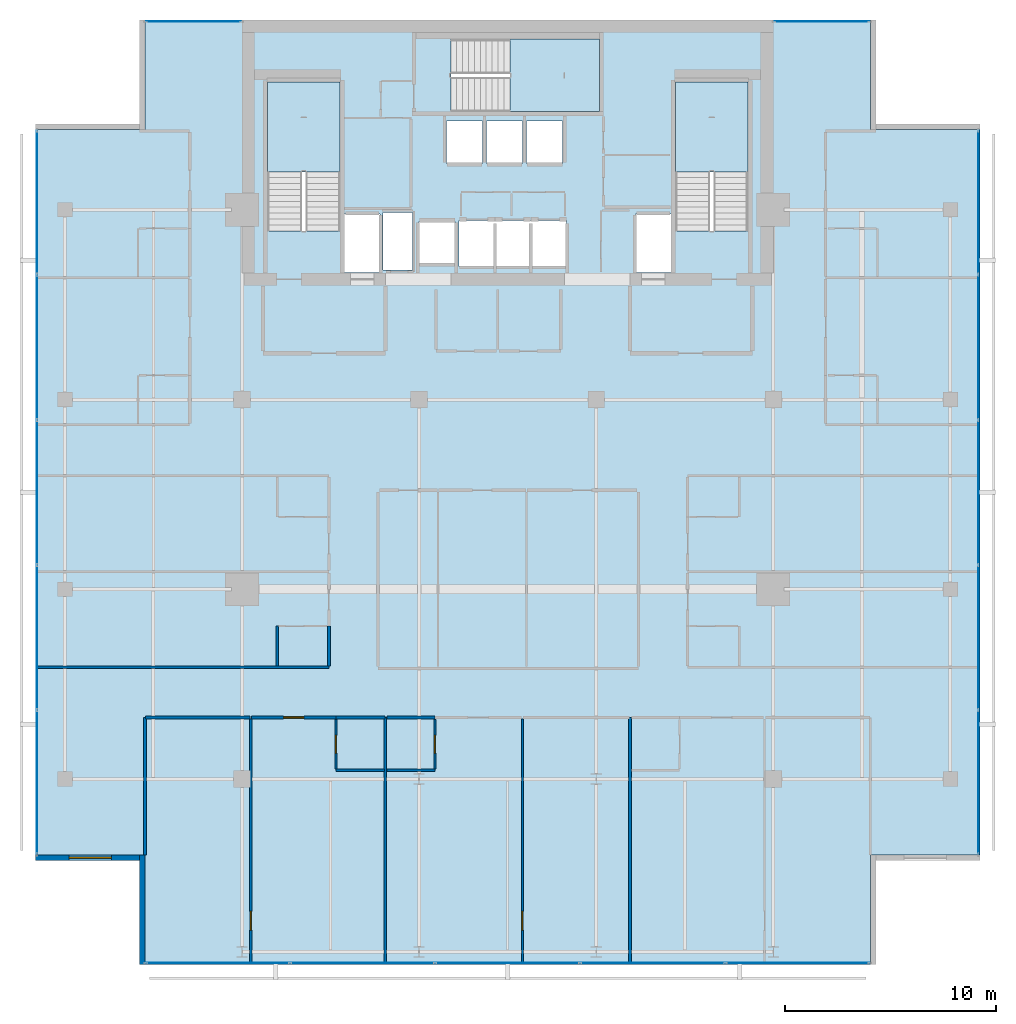
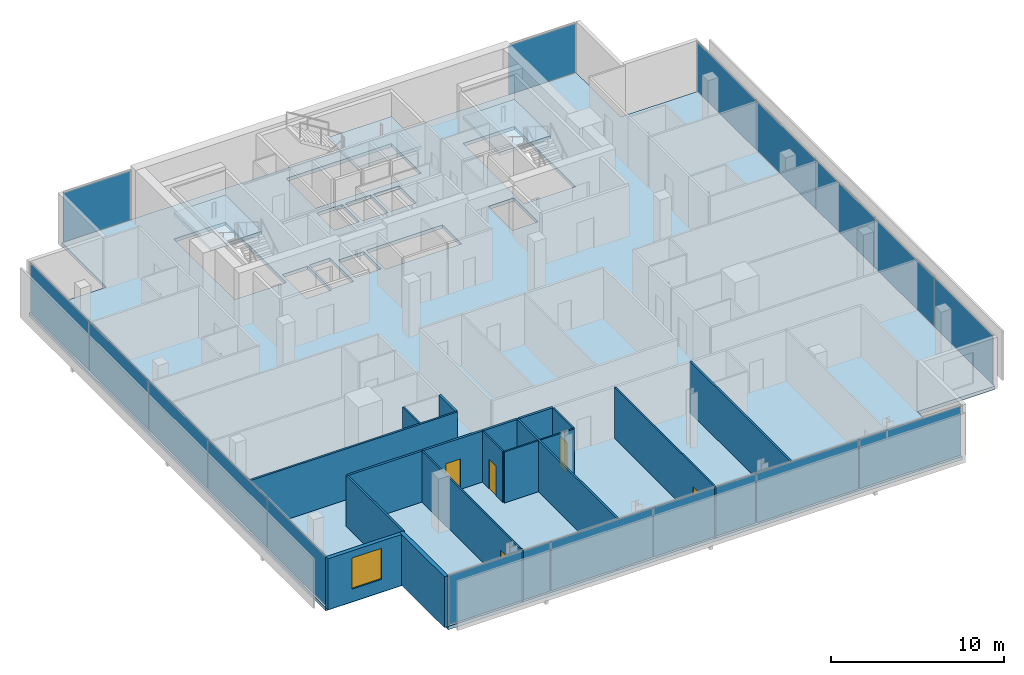
# One storey, part 19 of 26: 18 walls, 17 plates, 5 doors, 4 slabs, 1 window, 6 openings, 8 elements without a shape of their own.
"""IFC4 building model written with IfcOpenShell, lengths in metres."""

from ifc_helpers import new_model, si_unit, direction, frame, frame_2d, origin, origin_2d, place, context, subcontext, project, spatial, polyline, rectangle, outline, extrude, material, layer, layer_set, type_object, element, fill, aggregate, save


model = new_model("IFC4")

# Units and contexts
model_context = context("Model", 3, precision=1e-05, world=origin(), true_north=direction((0.0, 1.0)))
body_context = subcontext(model_context, "Body", "Model", "MODEL_VIEW")
ifc_project = project(units=[si_unit("LENGTHUNIT", "METRE"), si_unit("AREAUNIT", "SQUARE_METRE"), si_unit("VOLUMEUNIT", "CUBIC_METRE"), si_unit("PLANEANGLEUNIT", "RADIAN"), si_unit("MASSUNIT", "GRAM", prefix="KILO")], contexts=[model_context])

# Site, building, storey
site_placement = place(None, origin())
site = spatial("IfcSite", under=ifc_project, at=site_placement, CompositionType="ELEMENT")
building_placement = place(site_placement, origin())
building = spatial("IfcBuilding", under=site, at=building_placement, Name="Maruvema Waterfront Hotel and Observation Tower", CompositionType="ELEMENT")
storey_placement = place(building_placement, frame((0.0, 0.0, 301.0)))
storey = spatial("IfcBuildingStorey", under=building, at=storey_placement, Name="L74", CompositionType="ELEMENT", Elevation=301.0)

# Slab
ifc_material_1 = material(Name="Concrete C50/60", Category="concrete")
ifc_layer_1 = layer(ifc_material_1, 0.239990234375, Name="Reinforced Concrete Floor Slab 240 mm")
ifc_layer_set_1 = layer_set([ifc_layer_1], Name="Concrete C50/60")
slab_type_1 = type_object("IfcSlabType", Name="Reinforced Concrete Floor Slab 240 mm", PredefinedType="FLOOR", material=ifc_layer_set_1)
slab_1_placement = place(storey_placement, frame((0.0, 0.0, -0.239990234375)))
element("IfcSlab", 1, at=slab_1_placement, inside=storey, type_object=slab_type_1, Name="L74 Structural Floor Slab", PredefinedType="FLOOR", context=body_context, shape_type="SweptSolid", body=[
    extrude(outline(polyline([(20.60009765625, 9.199951171875), (55.0, 9.199951171875), (55.0, 14.39990234375), (60.199951171875, 14.39990234375), (60.199951171875, 48.800048828125), (55.0, 48.800048828125), (55.0, 54.0), (20.60009765625, 54.0), (20.60009765625, 48.800048828125), (15.39990234375, 48.800048828125), (15.39990234375, 14.39990234375), (20.60009765625, 14.39990234375), (20.60009765625, 9.199951171875)]), holes=[polyline([(26.39990234375, 44.00048828125), (26.39990234375, 51.050048828125), (29.85009765625, 51.050048828125), (29.85009765625, 44.00048828125), (26.39990234375, 44.00048828125)]), polyline([(30.050048828125, 44.800048828125), (31.75, 44.800048828125), (31.75, 42.02001953125), (30.050048828125, 42.02001953125), (30.050048828125, 44.800048828125)]), polyline([(31.8798828125, 42.139892578125), (31.8798828125, 44.860107421875), (33.280029296875, 44.860107421875), (33.280029296875, 42.139892578125), (31.8798828125, 42.139892578125)]), polyline([(33.60009765625, 44.449951171875), (35.300048828125, 44.449951171875), (35.300048828125, 42.449951171875), (33.60009765625, 42.449951171875), (33.60009765625, 44.449951171875)]), polyline([(34.89990234375, 49.199951171875), (36.60009765625, 49.199951171875), (36.60009765625, 47.199951171875), (34.89990234375, 47.199951171875), (34.89990234375, 49.199951171875)]), polyline([(36.800048828125, 47.199951171875), (36.800048828125, 49.199951171875), (38.5, 49.199951171875), (38.5, 47.199951171875), (36.800048828125, 47.199951171875)]), polyline([(35.5, 42.300048828125), (35.5, 44.5), (40.60009765625, 44.5), (40.60009765625, 42.300048828125), (35.5, 42.300048828125)]), polyline([(35.1005859375, 53.10009765625), (42.14990234375, 53.10009765625), (42.14990234375, 49.64990234375), (35.1005859375, 49.64990234375), (35.1005859375, 53.10009765625)]), polyline([(38.699951171875, 49.199951171875), (40.39990234375, 49.199951171875), (40.39990234375, 47.199951171875), (38.699951171875, 47.199951171875), (38.699951171875, 49.199951171875)]), polyline([(43.85009765625, 44.800048828125), (45.550048828125, 44.800048828125), (45.550048828125, 42.02001953125), (43.85009765625, 42.02001953125), (43.85009765625, 44.800048828125)]), polyline([(45.75, 44.00048828125), (45.75, 51.050048828125), (49.199951171875, 51.050048828125), (49.199951171875, 44.00048828125), (45.75, 44.00048828125)])]), origin(), (0.0, 0.0, 1.0), 0.239990234375),
])

# Curtain wall, plates
ifc_material_2 = material(Name="Anodised bronze aluminium and solar-control low-E IGU", Category="aluminium")
ifc_layer_2 = layer(ifc_material_2, 0.159912109375, Name="Zone 3 Champagne Inner Thermal Curtain Wall System CW-04")
ifc_layer_set_2 = layer_set([ifc_layer_2], Name="Anodised bronze aluminium and solar-control low-E IGU")
curtain_wall_type = type_object("IfcCurtainWallType", Name="Zone 3 Champagne Inner Thermal Curtain Wall System CW-04", PredefinedType="USERDEFINED", material=ifc_layer_set_2)
curtain_wall_1_placement = place(storey_placement, origin())
curtain_wall_1 = element("IfcCurtainWall", 2, at=curtain_wall_1_placement, inside=storey, type_object=curtain_wall_type, Name="L74 Curtain Wall CW-L74-S", ObjectType="UNITISED CURTAIN WALL", PredefinedType="USERDEFINED")
ifc_material_3 = material(Name="Laminated low-E solar-control double glazing", Category="glass")
ifc_layer_3 = layer(ifc_material_3, 0.035888671875, Name="Solar Control Double-Glazed Curtain Panel 36 mm")
ifc_layer_set_3 = layer_set([ifc_layer_3], Name="Laminated low-E solar-control double glazing")
plate_type = type_object("IfcPlateType", Name="Solar Control Double-Glazed Curtain Panel 36 mm", PredefinedType="CURTAIN_PANEL", material=ifc_layer_set_3)
plate_1_placement = place(storey_placement, frame((24.054931640625, 9.280029296875, 0.06005859375), z_axis=(0.0, 0.0, 1.0), x_axis=(1.0, 0.0, 0.0)))
plate_1 = element("IfcPlate", 3, at=plate_1_placement, type_object=plate_type, Name="CW-04 panel 1.1", PredefinedType="CURTAIN_PANEL", context=body_context, shape_type="SweptSolid", body=[
    extrude(rectangle(XDim=6.7900390625, YDim=0.028076171875, at=origin_2d()), origin(), (0.0, 0.0, 1.0), 3.489990234375),
])
plate_2_placement = place(storey_placement, frame((30.919921875, 9.280029296875, 0.06005859375), z_axis=(0.0, 0.0, 1.0), x_axis=(1.0, 0.0, 0.0)))
plate_2 = element("IfcPlate", 4, at=plate_2_placement, type_object=plate_type, Name="CW-04 panel 2.1", PredefinedType="CURTAIN_PANEL", context=body_context, shape_type="SweptSolid", body=[
    extrude(rectangle(XDim=6.820068359375, YDim=0.028076171875, at=origin_2d()), origin(), (0.0, 0.0, 1.0), 3.489990234375),
])
plate_3_placement = place(storey_placement, frame((37.800048828125, 9.280029296875, 0.06005859375), z_axis=(0.0, 0.0, 1.0), x_axis=(1.0, 0.0, 0.0)))
plate_3 = element("IfcPlate", 5, at=plate_3_placement, type_object=plate_type, Name="CW-04 panel 3.1", PredefinedType="CURTAIN_PANEL", context=body_context, shape_type="SweptSolid", body=[
    extrude(rectangle(XDim=6.820068359375, YDim=0.028076171875, at=origin_2d()), origin(), (0.0, 0.0, 1.0), 3.489990234375),
])
plate_4_placement = place(storey_placement, frame((44.679931640625, 9.280029296875, 0.06005859375), z_axis=(0.0, 0.0, 1.0), x_axis=(1.0, 0.0, 0.0)))
plate_4 = element("IfcPlate", 6, at=plate_4_placement, type_object=plate_type, Name="CW-04 panel 4.1", PredefinedType="CURTAIN_PANEL", context=body_context, shape_type="SweptSolid", body=[
    extrude(rectangle(XDim=6.820068359375, YDim=0.028076171875, at=origin_2d()), origin(), (0.0, 0.0, 1.0), 3.489990234375),
])
plate_5_placement = place(storey_placement, frame((51.544921875, 9.280029296875, 0.06005859375), z_axis=(0.0, 0.0, 1.0), x_axis=(1.0, 0.0, 0.0)))
plate_5 = element("IfcPlate", 7, at=plate_5_placement, type_object=plate_type, Name="CW-04 panel 5.1", PredefinedType="CURTAIN_PANEL", context=body_context, shape_type="SweptSolid", body=[
    extrude(rectangle(XDim=6.7900390625, YDim=0.028076171875, at=origin_2d()), origin(), (0.0, 0.0, 1.0), 3.489990234375),
])
aggregate(curtain_wall_1, [plate_1, plate_2, plate_3, plate_4, plate_5])

curtain_wall_2_placement = place(storey_placement, origin())
curtain_wall_2 = element("IfcCurtainWall", 8, at=curtain_wall_2_placement, inside=storey, type_object=curtain_wall_type, Name="L74 Curtain Wall CW-L74-E", ObjectType="UNITISED CURTAIN WALL", PredefinedType="USERDEFINED")
plate_6_placement = place(storey_placement, frame((60.1201171875, 17.85498046875, 0.06005859375), z_axis=(0.0, 0.0, 1.0), x_axis=(0.0, 1.0, 0.0)))
plate_6 = element("IfcPlate", 9, at=plate_6_placement, type_object=plate_type, Name="CW-04 panel 1.1", PredefinedType="CURTAIN_PANEL", context=body_context, shape_type="SweptSolid", body=[
    extrude(rectangle(XDim=6.7900390625, YDim=0.028076171875, at=origin_2d()), origin(), (0.0, 0.0, 1.0), 3.489990234375),
])
plate_7_placement = place(storey_placement, frame((60.1201171875, 24.719970703125, 0.06005859375), z_axis=(0.0, 0.0, 1.0), x_axis=(0.0, 1.0, 0.0)))
plate_7 = element("IfcPlate", 10, at=plate_7_placement, type_object=plate_type, Name="CW-04 panel 2.1", PredefinedType="CURTAIN_PANEL", context=body_context, shape_type="SweptSolid", body=[
    extrude(rectangle(XDim=6.820068359375, YDim=0.028076171875, at=origin_2d()), origin(), (0.0, 0.0, 1.0), 3.489990234375),
])
plate_8_placement = place(storey_placement, frame((60.1201171875, 31.60009765625, 0.06005859375), z_axis=(0.0, 0.0, 1.0), x_axis=(0.0, 1.0, 0.0)))
plate_8 = element("IfcPlate", 11, at=plate_8_placement, type_object=plate_type, Name="CW-04 panel 3.1", PredefinedType="CURTAIN_PANEL", context=body_context, shape_type="SweptSolid", body=[
    extrude(rectangle(XDim=6.820068359375, YDim=0.028076171875, at=origin_2d()), origin(), (0.0, 0.0, 1.0), 3.489990234375),
])
plate_9_placement = place(storey_placement, frame((60.1201171875, 38.47998046875, 0.06005859375), z_axis=(0.0, 0.0, 1.0), x_axis=(0.0, 1.0, 0.0)))
plate_9 = element("IfcPlate", 12, at=plate_9_placement, type_object=plate_type, Name="CW-04 panel 4.1", PredefinedType="CURTAIN_PANEL", context=body_context, shape_type="SweptSolid", body=[
    extrude(rectangle(XDim=6.820068359375, YDim=0.028076171875, at=origin_2d()), origin(), (0.0, 0.0, 1.0), 3.489990234375),
])
plate_10_placement = place(storey_placement, frame((60.1201171875, 45.344970703125, 0.06005859375), z_axis=(0.0, 0.0, 1.0), x_axis=(0.0, 1.0, 0.0)))
plate_10 = element("IfcPlate", 13, at=plate_10_placement, type_object=plate_type, Name="CW-04 panel 5.1", PredefinedType="CURTAIN_PANEL", context=body_context, shape_type="SweptSolid", body=[
    extrude(rectangle(XDim=6.7900390625, YDim=0.028076171875, at=origin_2d()), origin(), (0.0, 0.0, 1.0), 3.489990234375),
])
aggregate(curtain_wall_2, [plate_6, plate_7, plate_8, plate_9, plate_10])

curtain_wall_3_placement = place(storey_placement, origin())
curtain_wall_3 = element("IfcCurtainWall", 14, at=curtain_wall_3_placement, inside=storey, type_object=curtain_wall_type, Name="L74 Curtain Wall CW-L74-W", ObjectType="UNITISED CURTAIN WALL", PredefinedType="USERDEFINED")
plate_11_placement = place(storey_placement, frame((15.47998046875, 45.344970703125, 0.06005859375), z_axis=(0.0, 0.0, 1.0), x_axis=(0.0, -1.0, 0.0)))
plate_11 = element("IfcPlate", 15, at=plate_11_placement, type_object=plate_type, Name="CW-04 panel 1.1", PredefinedType="CURTAIN_PANEL", context=body_context, shape_type="SweptSolid", body=[
    extrude(rectangle(XDim=6.7900390625, YDim=0.028076171875, at=origin_2d()), origin(), (0.0, 0.0, 1.0), 3.489990234375),
])
plate_12_placement = place(storey_placement, frame((15.47998046875, 38.47998046875, 0.06005859375), z_axis=(0.0, 0.0, 1.0), x_axis=(0.0, -1.0, 0.0)))
plate_12 = element("IfcPlate", 16, at=plate_12_placement, type_object=plate_type, Name="CW-04 panel 2.1", PredefinedType="CURTAIN_PANEL", context=body_context, shape_type="SweptSolid", body=[
    extrude(rectangle(XDim=6.820068359375, YDim=0.028076171875, at=origin_2d()), origin(), (0.0, 0.0, 1.0), 3.489990234375),
])
plate_13_placement = place(storey_placement, frame((15.47998046875, 31.60009765625, 0.06005859375), z_axis=(0.0, 0.0, 1.0), x_axis=(0.0, -1.0, 0.0)))
plate_13 = element("IfcPlate", 17, at=plate_13_placement, type_object=plate_type, Name="CW-04 panel 3.1", PredefinedType="CURTAIN_PANEL", context=body_context, shape_type="SweptSolid", body=[
    extrude(rectangle(XDim=6.820068359375, YDim=0.028076171875, at=origin_2d()), origin(), (0.0, 0.0, 1.0), 3.489990234375),
])
plate_14_placement = place(storey_placement, frame((15.47998046875, 24.719970703125, 0.06005859375), z_axis=(0.0, 0.0, 1.0), x_axis=(0.0, -1.0, 0.0)))
plate_14 = element("IfcPlate", 18, at=plate_14_placement, type_object=plate_type, Name="CW-04 panel 4.1", PredefinedType="CURTAIN_PANEL", context=body_context, shape_type="SweptSolid", body=[
    extrude(rectangle(XDim=6.820068359375, YDim=0.028076171875, at=origin_2d()), origin(), (0.0, 0.0, 1.0), 3.489990234375),
])
plate_15_placement = place(storey_placement, frame((15.47998046875, 17.85498046875, 0.06005859375), z_axis=(0.0, 0.0, 1.0), x_axis=(0.0, -1.0, 0.0)))
plate_15 = element("IfcPlate", 19, at=plate_15_placement, type_object=plate_type, Name="CW-04 panel 5.1", PredefinedType="CURTAIN_PANEL", context=body_context, shape_type="SweptSolid", body=[
    extrude(rectangle(XDim=6.7900390625, YDim=0.028076171875, at=origin_2d()), origin(), (0.0, 0.0, 1.0), 3.489990234375),
])
aggregate(curtain_wall_3, [plate_11, plate_12, plate_13, plate_14, plate_15])

# Curtain wall, plate
curtain_wall_4_placement = place(storey_placement, origin())
curtain_wall_4 = element("IfcCurtainWall", 20, at=curtain_wall_4_placement, inside=storey, type_object=curtain_wall_type, Name="L74 Curtain Wall CW-L74-NW", ObjectType="UNITISED CURTAIN WALL", PredefinedType="USERDEFINED")
plate_16_placement = place(storey_placement, frame((22.89990234375, 53.919921875, 0.06005859375), z_axis=(0.0, 0.0, 1.0), x_axis=(-1.0, 0.0, 0.0)))
plate_16 = element("IfcPlate", 21, at=plate_16_placement, type_object=plate_type, Name="CW-04 panel 1.1", PredefinedType="CURTAIN_PANEL", context=body_context, shape_type="SweptSolid", body=[
    extrude(rectangle(XDim=4.47998046875, YDim=0.028076171875, at=origin_2d()), origin(), (0.0, 0.0, 1.0), 3.489990234375),
])
aggregate(curtain_wall_4, [plate_16])

curtain_wall_5_placement = place(storey_placement, origin())
curtain_wall_5 = element("IfcCurtainWall", 22, at=curtain_wall_5_placement, inside=storey, type_object=curtain_wall_type, Name="L74 Curtain Wall CW-L74-NE", ObjectType="UNITISED CURTAIN WALL", PredefinedType="USERDEFINED")
plate_17_placement = place(storey_placement, frame((52.699951171875, 53.919921875, 0.06005859375), z_axis=(0.0, 0.0, 1.0), x_axis=(-1.0, 0.0, 0.0)))
plate_17 = element("IfcPlate", 23, at=plate_17_placement, type_object=plate_type, Name="CW-04 panel 1.1", PredefinedType="CURTAIN_PANEL", context=body_context, shape_type="SweptSolid", body=[
    extrude(rectangle(XDim=4.47998046875, YDim=0.028076171875, at=origin_2d()), origin(), (0.0, 0.0, 1.0), 3.489990234375),
])
aggregate(curtain_wall_5, [plate_17])

# Stair, slab
ifc_material_4 = material(Name="Concrete C50/60", Category="concrete")
stair_type = type_object("IfcStairType", Name="Dogleg Exit Stair 1650 mm (22R x 175.0 mm)", PredefinedType="HALF_TURN_STAIR", material=ifc_material_4)
stair_1_placement = place(storey_placement, origin())
stair_1 = element("IfcStair", 24, at=stair_1_placement, inside=storey, type_object=stair_type, Name="L74 ST-01", PredefinedType="HALF_TURN_STAIR")
ifc_material_5 = material(Name="Concrete C50/60", Category="concrete")
ifc_layer_4 = layer(ifc_material_5, 0.219970703125, Name="Stair Concrete Landing Slab 220 mm")
ifc_layer_set_4 = layer_set([ifc_layer_4], Name="Concrete C50/60")
slab_type_2 = type_object("IfcSlabType", Name="Stair Concrete Landing Slab 220 mm", PredefinedType="LANDING", material=ifc_layer_set_4)
slab_2_placement = place(storey_placement, frame((0.0, 0.0, 1.705078125)))
slab_2 = element("IfcSlab", 25, at=slab_2_placement, type_object=slab_type_2, Name="ST-01 landing 1", PredefinedType="LANDING", context=body_context, shape_type="SweptSolid", body=[
    extrude(outline(polyline([(29.85009765625, 46.800048828125), (29.85009765625, 51.050048828125), (26.39990234375, 51.050048828125), (26.39990234375, 46.800048828125), (29.85009765625, 46.800048828125)])), origin(), (0.0, 0.0, 1.0), 0.219970703125),
])
aggregate(stair_1, [slab_2])

stair_2_placement = place(storey_placement, origin())
stair_2 = element("IfcStair", 26, at=stair_2_placement, inside=storey, type_object=stair_type, Name="L74 ST-02", PredefinedType="HALF_TURN_STAIR")
slab_3_placement = place(storey_placement, frame((0.0, 0.0, 1.705078125)))
slab_3 = element("IfcSlab", 27, at=slab_3_placement, type_object=slab_type_2, Name="ST-02 landing 1", PredefinedType="LANDING", context=body_context, shape_type="SweptSolid", body=[
    extrude(outline(polyline([(37.89990234375, 49.64990234375), (42.14990234375, 49.64990234375), (42.14990234375, 53.10009765625), (37.89990234375, 53.10009765625), (37.89990234375, 49.64990234375)])), origin(), (0.0, 0.0, 1.0), 0.219970703125),
])
aggregate(stair_2, [slab_3])

stair_3_placement = place(storey_placement, origin())
stair_3 = element("IfcStair", 28, at=stair_3_placement, inside=storey, type_object=stair_type, Name="L74 ST-03", PredefinedType="HALF_TURN_STAIR")
slab_4_placement = place(storey_placement, frame((0.0, 0.0, 1.705078125)))
slab_4 = element("IfcSlab", 29, at=slab_4_placement, type_object=slab_type_2, Name="ST-03 landing 1", PredefinedType="LANDING", context=body_context, shape_type="SweptSolid", body=[
    extrude(outline(polyline([(49.199951171875, 46.800048828125), (49.199951171875, 51.050048828125), (45.75, 51.050048828125), (45.75, 46.800048828125), (49.199951171875, 46.800048828125)])), origin(), (0.0, 0.0, 1.0), 0.219970703125),
])
aggregate(stair_3, [slab_4])

# Walls
ifc_material_6 = material(Name="Twin-stud acoustic gypsum drywall", Category="gypsum")
ifc_layer_5 = layer(ifc_material_6, 0.14990234375, Name="Acoustic Corridor and Suite Demising Wall 150 mm")
ifc_layer_set_5 = layer_set([ifc_layer_5], Name="Twin-stud acoustic gypsum drywall")
wall_type_1 = type_object("IfcWallType", Name="Acoustic Corridor and Suite Demising Wall 150 mm", PredefinedType="PARTITIONING", material=ifc_layer_set_5)
wall_1_placement = place(storey_placement, frame((29.64990234375, 20.919921875, 0.0), z_axis=(0.0, 0.0, 1.0), x_axis=(1.0, 0.0, 0.0)))
element("IfcWall", 30, at=wall_1_placement, inside=storey, type_object=wall_type_1, Name="L74 Bath L74-S1 Back Wall 041", PredefinedType="PARTITIONING", context=body_context, shape_type="SweptSolid", body=[
    extrude(rectangle(XDim=2.330078125, YDim=0.14990234375, at=frame_2d((1.1650390625, 0.0))), origin(), (0.0, 0.0, 1.0), 3.610107421875),
])
wall_2_placement = place(storey_placement, frame((20.6201171875, 20.919921875, 0.0), z_axis=(0.0, 0.0, 1.0), x_axis=(1.0, 0.0, 0.0)))
element("IfcWall", 31, at=wall_2_placement, inside=storey, type_object=wall_type_1, Name="L74 Bedroom L74-S1 Back Wall 044", PredefinedType="PARTITIONING", context=body_context, shape_type="SweptSolid", body=[
    extrude(rectangle(XDim=4.955810546875, YDim=0.14990234375, at=frame_2d((2.47802734375, 0.0))), origin(), (0.0, 0.0, 1.0), 3.610107421875),
])

# Wall, opening, door
wall_3_placement = place(storey_placement, frame((25.656005859375, 20.919921875, 0.0), z_axis=(0.0, 0.0, 1.0), x_axis=(1.0, 0.0, 0.0)))
wall_3 = element("IfcWall", 32, at=wall_3_placement, inside=storey, type_object=wall_type_1, Name="L74 Unit L74-S1 Corridor Wall 045", PredefinedType="PARTITIONING", context=body_context, shape_type="SweptSolid", body=[
    extrude(rectangle(XDim=3.993896484375, YDim=0.14990234375, at=frame_2d((1.9970703125, 0.0))), origin(), (0.0, 0.0, 1.0), 3.610107421875),
])
opening_1_placement = place(wall_3_placement, frame((1.52197265625, 0.0, 0.0)))
opening_1 = element("IfcOpeningElement", 33, at=opening_1_placement, cuts=wall_3, Name="Opening DR-095", PredefinedType="OPENING", context=body_context, shape_type="SweptSolid", body=[
    extrude(rectangle(XDim=0.949951171875, YDim=2.14990234375, at=frame_2d((0.47509765625, 1.074951171875))), frame((0.0, 0.0849609375, 0.0), z_axis=(0.0, -1.0, 0.0), x_axis=(1.0, 0.0, 0.0)), (0.0, 0.0, 1.0), 0.169921875),
])
ifc_material_7 = material(Name="Acoustic solid-core hardwood timber leaf", Category="wood")
door_type_1 = type_object("IfcDoorType", Name="Guestroom Entrance Fire Door 950x2150 mm", OperationType="NOTDEFINED", PredefinedType="DOOR", material=ifc_material_7)
door_1_placement = place(opening_1_placement, frame((0.949951171875, 0.0, 0.0), z_axis=(0.0, 0.0, 1.0), x_axis=(-1.0, 0.0, 0.0)))
door_1 = element("IfcDoor", 34, at=door_1_placement, inside=storey, type_object=door_type_1, Name="L74 Unit L74-S1 Entrance Door", OperationType="SINGLE_SWING_LEFT", OverallHeight=2.14990234375, OverallWidth=0.949951171875, PredefinedType="DOOR", context=body_context, shape_type="SweptSolid", body=[
    extrude(rectangle(XDim=0.949951171875, YDim=2.14990234375, at=frame_2d((0.47509765625, 1.074951171875))), frame((0.0, 0.02490234375, 0.0), z_axis=(0.0, -1.0, 0.0), x_axis=(1.0, 0.0, 0.0)), (0.0, 0.0, 1.0), 0.050048828125),
])
fill(opening_1, door_1)

# Walls
wall_4_placement = place(storey_placement, frame((32.080078125, 20.919921875, 0.0), z_axis=(0.0, 0.0, 1.0), x_axis=(1.0, 0.0, 0.0)))
element("IfcWall", 35, at=wall_4_placement, inside=storey, type_object=wall_type_1, Name="L74 Bath L74-S2 Back Wall 048", PredefinedType="PARTITIONING", context=body_context, shape_type="SweptSolid", body=[
    extrude(rectangle(XDim=2.27001953125, YDim=0.14990234375, at=frame_2d((1.135009765625, 0.0))), origin(), (0.0, 0.0, 1.0), 3.610107421875),
])
wall_5_placement = place(storey_placement, frame((29.320068359375, 23.360107421875, 0.0), z_axis=(0.0, 0.0, 1.0), x_axis=(0.0, 1.0, 0.0)))
element("IfcWall", 36, at=wall_5_placement, inside=storey, type_object=wall_type_1, Name="L74 Bath L74-W1 Wall 065", PredefinedType="PARTITIONING", context=body_context, shape_type="SweptSolid", body=[
    extrude(rectangle(XDim=1.889892578125, YDim=0.14990234375, at=frame_2d((0.94482421875, 0.0))), origin(), (0.0, 0.0, 1.0), 3.610107421875),
])
ifc_material_8 = material(Name="Moisture-resistant cement-board drywall", Category="gypsum")
ifc_layer_6 = layer(ifc_material_8, 0.10009765625, Name="En-Suite Moisture-Resistant Partition 100 mm")
ifc_layer_set_6 = layer_set([ifc_layer_6], Name="Moisture-resistant cement-board drywall")
wall_type_2 = type_object("IfcWallType", Name="En-Suite Moisture-Resistant Partition 100 mm", PredefinedType="PARTITIONING", material=ifc_layer_set_6)
wall_6_placement = place(storey_placement, frame((29.64990234375, 18.419921875, 0.0), z_axis=(0.0, 0.0, 1.0), x_axis=(1.0, 0.0, 0.0)))
element("IfcWall", 37, at=wall_6_placement, inside=storey, type_object=wall_type_2, Name="L74 En-Suite L74-S1 South 042", PredefinedType="PARTITIONING", context=body_context, shape_type="SweptSolid", body=[
    extrude(rectangle(XDim=2.31005859375, YDim=0.10009765625, at=frame_2d((1.155029296875, 0.0))), origin(), (0.0, 0.0, 1.0), 3.610107421875),
])

# Wall, opening, door
wall_7_placement = place(storey_placement, frame((29.64990234375, 18.47998046875, 0.0), z_axis=(0.0, 0.0, 1.0), x_axis=(0.0, 1.0, 0.0)))
wall_7 = element("IfcWall", 38, at=wall_7_placement, inside=storey, type_object=wall_type_2, Name="L74 En-Suite L74-S1 West 043", PredefinedType="PARTITIONING", context=body_context, shape_type="SweptSolid", body=[
    extrude(rectangle(XDim=2.340087890625, YDim=0.10009765625, at=frame_2d((1.169921875, 0.0))), origin(), (0.0, 0.0, 1.0), 3.610107421875),
])
opening_2_placement = place(wall_7_placement, frame((0.7451171875, 0.0, 0.0)))
opening_2 = element("IfcOpeningElement", 39, at=opening_2_placement, cuts=wall_7, Name="Opening DR-085", PredefinedType="OPENING", context=body_context, shape_type="SweptSolid", body=[
    extrude(rectangle(XDim=0.85009765625, YDim=2.10009765625, at=frame_2d((0.425048828125, 1.050048828125))), frame((0.0, 0.06005859375, 0.0), z_axis=(0.0, -1.0, 0.0), x_axis=(1.0, 0.0, 0.0)), (0.0, 0.0, 1.0), 0.1201171875),
])
ifc_material_9 = material(Name="Moisture-resistant solid timber leaf", Category="wood")
door_type_2 = type_object("IfcDoorType", Name="En-Suite Bathroom Door 850x2100 mm", OperationType="NOTDEFINED", PredefinedType="DOOR", material=ifc_material_9)
door_2_placement = place(opening_2_placement, origin())
door_2 = element("IfcDoor", 40, at=door_2_placement, inside=storey, type_object=door_type_2, Name="L74 En-Suite L74-S1 Door", OperationType="SINGLE_SWING_RIGHT", OverallHeight=2.10009765625, OverallWidth=0.85009765625, PredefinedType="DOOR", context=body_context, shape_type="SweptSolid", body=[
    extrude(rectangle(XDim=0.85009765625, YDim=2.10009765625, at=frame_2d((0.425048828125, 1.050048828125))), frame((0.0, 0.02490234375, 0.0), z_axis=(0.0, -1.0, 0.0), x_axis=(1.0, 0.0, 0.0)), (0.0, 0.0, 1.0), 0.050048828125),
])
fill(opening_2, door_2)

wall_8_placement = place(storey_placement, frame((25.615966796875, 9.22998046875, 0.0), z_axis=(0.0, 0.0, 1.0), x_axis=(0.0, 1.0, 0.0)))
wall_8 = element("IfcWall", 41, at=wall_8_placement, inside=storey, type_object=wall_type_2, Name="L74 Suite L74-S1 Split 046", PredefinedType="PARTITIONING", context=body_context, shape_type="SweptSolid", body=[
    extrude(rectangle(XDim=11.630126953125, YDim=0.10009765625, at=frame_2d((5.81494140625, 0.0))), origin(), (0.0, 0.0, 1.0), 3.610107421875),
])
opening_3_placement = place(wall_8_placement, frame((1.60009765625, 0.0, 0.0)))
opening_3 = element("IfcOpeningElement", 42, at=opening_3_placement, cuts=wall_8, Name="Opening DR-090", PredefinedType="OPENING", context=body_context, shape_type="SweptSolid", body=[
    extrude(rectangle(XDim=0.89990234375, YDim=2.10009765625, at=frame_2d((0.449951171875, 1.050048828125))), frame((0.0, 0.06005859375, 0.0), z_axis=(0.0, -1.0, 0.0), x_axis=(1.0, 0.0, 0.0)), (0.0, 0.0, 1.0), 0.1201171875),
])
ifc_material_10 = material(Name="Solid-core lacquered timber leaf", Category="wood")
door_type_3 = type_object("IfcDoorType", Name="Accessible Toilet and Room Door 900x2100 mm", OperationType="NOTDEFINED", PredefinedType="DOOR", material=ifc_material_10)
door_3_placement = place(opening_3_placement, frame((0.89990234375, 0.0, 0.0), z_axis=(0.0, 0.0, 1.0), x_axis=(-1.0, 0.0, 0.0)))
door_3 = element("IfcDoor", 43, at=door_3_placement, inside=storey, type_object=door_type_3, Name="L74 Suite L74-S1 Bedroom Door", OperationType="SINGLE_SWING_RIGHT", OverallHeight=2.10009765625, OverallWidth=0.89990234375, PredefinedType="DOOR", context=body_context, shape_type="SweptSolid", body=[
    extrude(rectangle(XDim=0.89990234375, YDim=2.10009765625, at=frame_2d((0.449951171875, 1.050048828125))), frame((0.0, 0.02490234375, 0.0), z_axis=(0.0, -1.0, 0.0), x_axis=(1.0, 0.0, 0.0)), (0.0, 0.0, 1.0), 0.050048828125),
])
fill(opening_3, door_3)

# Wall
wall_9_placement = place(storey_placement, frame((32.080078125, 18.419921875, 0.0), z_axis=(0.0, 0.0, 1.0), x_axis=(1.0, 0.0, 0.0)))
element("IfcWall", 44, at=wall_9_placement, inside=storey, type_object=wall_type_2, Name="L74 En-Suite L74-S2 South 049", PredefinedType="PARTITIONING", context=body_context, shape_type="SweptSolid", body=[
    extrude(rectangle(XDim=2.27001953125, YDim=0.10009765625, at=frame_2d((1.135009765625, 0.0))), origin(), (0.0, 0.0, 1.0), 3.610107421875),
])

# Wall, opening, door
wall_10_placement = place(storey_placement, frame((34.35009765625, 18.47998046875, 0.0), z_axis=(0.0, 0.0, 1.0), x_axis=(0.0, 1.0, 0.0)))
wall_10 = element("IfcWall", 45, at=wall_10_placement, inside=storey, type_object=wall_type_2, Name="L74 En-Suite L74-S2 East 050", PredefinedType="PARTITIONING", context=body_context, shape_type="SweptSolid", body=[
    extrude(rectangle(XDim=2.340087890625, YDim=0.10009765625, at=frame_2d((1.169921875, 0.0))), origin(), (0.0, 0.0, 1.0), 3.610107421875),
])
opening_4_placement = place(wall_10_placement, frame((0.7451171875, 0.0, 0.0)))
opening_4 = element("IfcOpeningElement", 46, at=opening_4_placement, cuts=wall_10, Name="Opening DR-085", PredefinedType="OPENING", context=body_context, shape_type="SweptSolid", body=[
    extrude(rectangle(XDim=0.85009765625, YDim=2.10009765625, at=frame_2d((0.425048828125, 1.050048828125))), frame((0.0, 0.06005859375, 0.0), z_axis=(0.0, -1.0, 0.0), x_axis=(1.0, 0.0, 0.0)), (0.0, 0.0, 1.0), 0.1201171875),
])
door_4_placement = place(opening_4_placement, frame((0.85009765625, 0.0, 0.0), z_axis=(0.0, 0.0, 1.0), x_axis=(-1.0, 0.0, 0.0)))
door_4 = element("IfcDoor", 47, at=door_4_placement, inside=storey, type_object=door_type_2, Name="L74 En-Suite L74-S2 Door", OperationType="SINGLE_SWING_LEFT", OverallHeight=2.10009765625, OverallWidth=0.85009765625, PredefinedType="DOOR", context=body_context, shape_type="SweptSolid", body=[
    extrude(rectangle(XDim=0.85009765625, YDim=2.10009765625, at=frame_2d((0.425048828125, 1.050048828125))), frame((0.0, 0.02490234375, 0.0), z_axis=(0.0, -1.0, 0.0), x_axis=(1.0, 0.0, 0.0)), (0.0, 0.0, 1.0), 0.050048828125),
])
fill(opening_4, door_4)

wall_11_placement = place(storey_placement, frame((38.49609375, 9.22998046875, 0.0), z_axis=(0.0, 0.0, 1.0), x_axis=(0.0, 1.0, 0.0)))
wall_11 = element("IfcWall", 48, at=wall_11_placement, inside=storey, type_object=wall_type_2, Name="L74 Suite L74-S2 Split 053", PredefinedType="PARTITIONING", context=body_context, shape_type="SweptSolid", body=[
    extrude(rectangle(XDim=11.630126953125, YDim=0.10009765625, at=frame_2d((5.81494140625, 0.0))), origin(), (0.0, 0.0, 1.0), 3.610107421875),
])
opening_5_placement = place(wall_11_placement, frame((1.60009765625, 0.0, 0.0)))
opening_5 = element("IfcOpeningElement", 49, at=opening_5_placement, cuts=wall_11, Name="Opening DR-090", PredefinedType="OPENING", context=body_context, shape_type="SweptSolid", body=[
    extrude(rectangle(XDim=0.89990234375, YDim=2.10009765625, at=frame_2d((0.449951171875, 1.050048828125))), frame((0.0, 0.06005859375, 0.0), z_axis=(0.0, -1.0, 0.0), x_axis=(1.0, 0.0, 0.0)), (0.0, 0.0, 1.0), 0.1201171875),
])
door_5_placement = place(opening_5_placement, origin())
door_5 = element("IfcDoor", 50, at=door_5_placement, inside=storey, type_object=door_type_3, Name="L74 Suite L74-S2 Bedroom Door", OperationType="SINGLE_SWING_LEFT", OverallHeight=2.10009765625, OverallWidth=0.89990234375, PredefinedType="DOOR", context=body_context, shape_type="SweptSolid", body=[
    extrude(rectangle(XDim=0.89990234375, YDim=2.10009765625, at=frame_2d((0.449951171875, 1.050048828125))), frame((0.0, 0.02490234375, 0.0), z_axis=(0.0, -1.0, 0.0), x_axis=(1.0, 0.0, 0.0)), (0.0, 0.0, 1.0), 0.050048828125),
])
fill(opening_5, door_5)

# Walls
wall_12_placement = place(storey_placement, frame((26.8701171875, 23.360107421875, 0.0), z_axis=(0.0, 0.0, 1.0), x_axis=(0.0, 1.0, 0.0)))
element("IfcWall", 51, at=wall_12_placement, inside=storey, type_object=wall_type_2, Name="L74 En-Suite L74-W1 W 067", PredefinedType="PARTITIONING", context=body_context, shape_type="SweptSolid", body=[
    extrude(rectangle(XDim=1.889892578125, YDim=0.10009765625, at=frame_2d((0.94482421875, 0.0))), origin(), (0.0, 0.0, 1.0), 3.610107421875),
])
ifc_material_11 = material(Name="Precast concrete C45/55 with honed Pernambuco granite facing", Category="masonry")
ifc_layer_7 = layer(ifc_material_11, 0.260009765625, Name="Exterior Granite Clad Spandrel and Pier Wall 260 mm")
ifc_layer_set_7 = layer_set([ifc_layer_7], Name="Precast concrete C45/55 with honed Pernambuco granite facing")
wall_type_3 = type_object("IfcWallType", Name="Exterior Granite Clad Spandrel and Pier Wall 260 mm", PredefinedType="SOLIDWALL", material=ifc_layer_set_7)
wall_13_placement = place(storey_placement, frame((20.469970703125, 9.199951171875, 0.0), z_axis=(0.0, 0.0, 1.0), x_axis=(0.0, 1.0, 0.0)))
element("IfcWall", 52, at=wall_13_placement, inside=storey, type_object=wall_type_3, Name="L74 Corner Notch Granite Pier Wall SW1", PredefinedType="SOLIDWALL", context=body_context, shape_type="SweptSolid", body=[
    extrude(rectangle(XDim=5.199951171875, YDim=0.260009765625, at=frame_2d((2.60009765625, 0.0))), origin(), (0.0, 0.0, 1.0), 3.610107421875),
])

# Wall, opening, window
wall_14_placement = place(storey_placement, frame((20.60009765625, 14.27001953125, 0.0), z_axis=(0.0, 0.0, 1.0), x_axis=(-1.0, 0.0, 0.0)))
wall_14 = element("IfcWall", 53, at=wall_14_placement, inside=storey, type_object=wall_type_3, Name="L74 Corner Notch Granite Pier Wall SW2", PredefinedType="SOLIDWALL", context=body_context, shape_type="SweptSolid", body=[
    extrude(rectangle(XDim=5.2001953125, YDim=0.260009765625, at=frame_2d((2.60009765625, 0.0))), origin(), (0.0, 0.0, 1.0), 3.610107421875),
])
opening_6_placement = place(wall_14_placement, frame((1.60009765625, 0.0, 0.89990234375)))
opening_6 = element("IfcOpeningElement", 54, at=opening_6_placement, cuts=wall_14, Name="Opening WN-03", PredefinedType="OPENING", context=body_context, shape_type="SweptSolid", body=[
    extrude(rectangle(XDim=2.0, YDim=2.199951171875, at=frame_2d((1.0, 1.10009765625))), frame((0.0, 0.14013671875, 0.0), z_axis=(0.0, -1.0, 0.0), x_axis=(1.0, 0.0, 0.0)), (0.0, 0.0, 1.0), 0.280029296875),
])
ifc_material_12 = material(Name="Anodised bronze aluminium frame with laminated low-E glass", Category="aluminium")
window_type = type_object("IfcWindowType", Name="Sky Suite Panoramic Notch Window 2000x2200 mm", PartitioningType="SINGLE_PANEL", PredefinedType="WINDOW", material=ifc_material_12)
window_placement = place(opening_6_placement, origin())
window = element("IfcWindow", 55, at=window_placement, inside=storey, type_object=window_type, Name="L74 Corner Notch Punched Window SW2", OverallHeight=2.199951171875, OverallWidth=2.0, PartitioningType="SINGLE_PANEL", PredefinedType="WINDOW", context=body_context, shape_type="SweptSolid", body=[
    extrude(rectangle(XDim=2.0, YDim=2.199951171875, at=frame_2d((1.0, 1.10009765625))), frame((0.0, 0.030029296875, 0.0), z_axis=(0.0, -1.0, 0.0), x_axis=(1.0, 0.0, 0.0)), (0.0, 0.0, 1.0), 0.06005859375),
])
fill(opening_6, window)

# Walls
ifc_material_13 = material(Name="Acoustic gypsum plasterboard drywall", Category="gypsum")
ifc_layer_8 = layer(ifc_material_13, 0.125, Name="Guestroom Acoustic Demising Wall 125 mm")
ifc_layer_set_8 = layer_set([ifc_layer_8], Name="Acoustic gypsum plasterboard drywall")
wall_type_4 = type_object("IfcWallType", Name="Guestroom Acoustic Demising Wall 125 mm", PredefinedType="PARTITIONING", material=ifc_layer_set_8)
wall_15_placement = place(storey_placement, frame((20.60009765625, 14.39990234375, 0.0), z_axis=(0.0, 0.0, 1.0), x_axis=(0.0, 1.0, 0.0)))
element("IfcWall", 56, at=wall_15_placement, inside=storey, type_object=wall_type_4, Name="L74 Z3 S West End 039", PredefinedType="PARTITIONING", context=body_context, shape_type="SweptSolid", body=[
    extrude(rectangle(XDim=6.52001953125, YDim=0.125, at=frame_2d((3.260009765625, 0.0))), origin(), (0.0, 0.0, 1.0), 3.610107421875),
])
for number, where, z_axis, x_axis, name in (
    (57, (32.0, 9.300048828125, 0.0), (0.0, 0.0, 1.0), (0.0, 1.0, 0.0), "L74 Z3 S Demising 2 047"),
    (58, (43.60009765625, 9.300048828125, 0.0), (0.0, 0.0, 1.0), (0.0, 1.0, 0.0), "L74 Z3 S Demising 3 054"),
):
    element("IfcWall", number, at=place(storey_placement, frame(where, z_axis=z_axis, x_axis=x_axis)), inside=storey, type_object=wall_type_4, Name=name, PredefinedType="PARTITIONING", context=body_context, shape_type="SweptSolid", body=[
        extrude(rectangle(XDim=11.619873046875, YDim=0.125, at=frame_2d((5.81005859375, 0.0))), origin(), (0.0, 0.0, 1.0), 3.610107421875),
    ])
wall_16_placement = place(storey_placement, frame((15.5, 23.300048828125, 0.0), z_axis=(0.0, 0.0, 1.0), x_axis=(1.0, 0.0, 0.0)))
element("IfcWall", 59, at=wall_16_placement, inside=storey, type_object=wall_type_4, Name="L74 Z3 W Bot End 061", PredefinedType="PARTITIONING", context=body_context, shape_type="SweptSolid", body=[
    extrude(rectangle(XDim=13.820068359375, YDim=0.125, at=frame_2d((6.91015625, 0.0))), origin(), (0.0, 0.0, 1.0), 3.610107421875),
])

save(model, "model.ifc")
